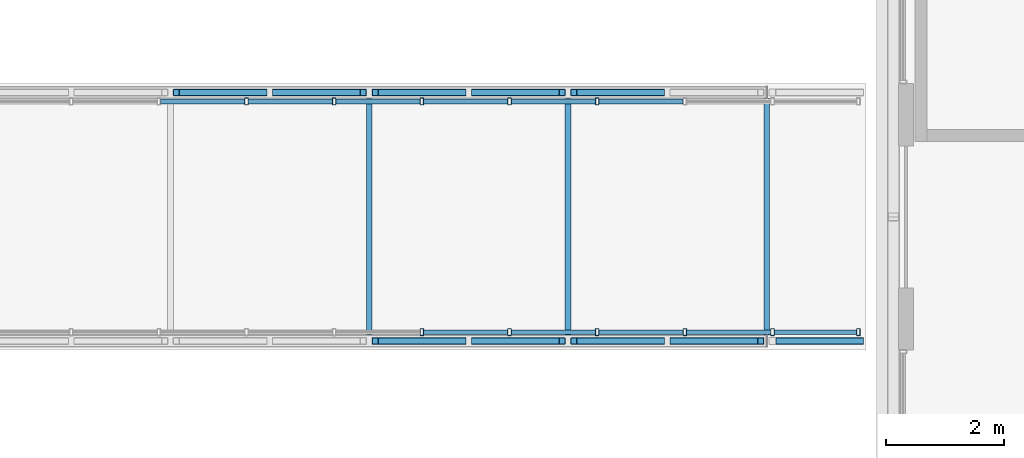
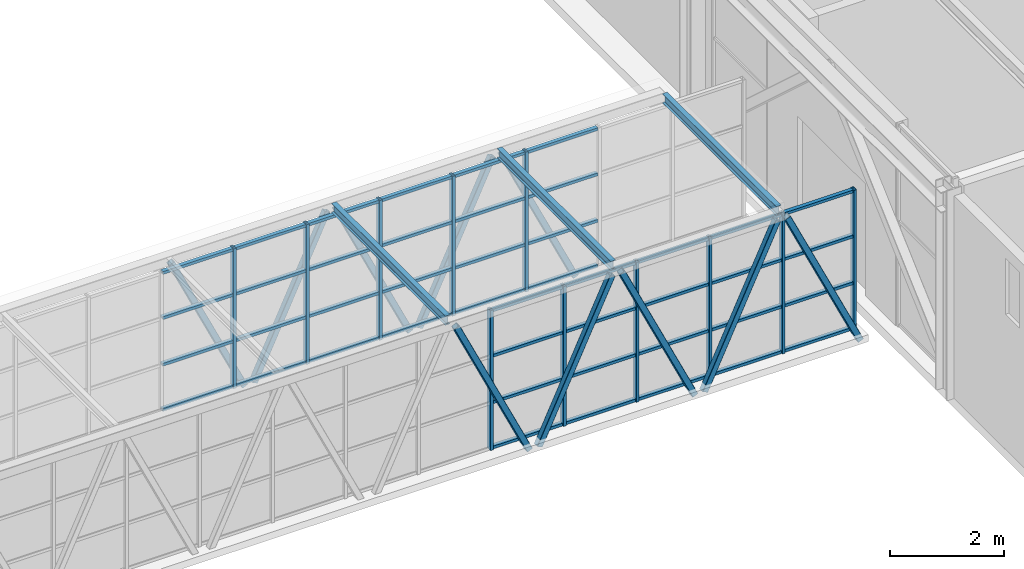
# One storey, part 38 of 149: 65 members, 3 beams, 2 elements without a shape of their own.
"""IFC4 building model written with IfcOpenShell, lengths in metres."""

from ifc_helpers import new_model, si_unit, direction, frame, origin, origin_2d, place, context, subcontext, project, spatial, hollow_rectangle, i_section, extrude, material, material_profile, profile_set, type_object, element, aggregate, save


model = new_model("IFC4")

# Units and contexts
model_context = context("Model", 3, precision=1e-05, world=origin(), true_north=direction((0.0, 1.0)))
body_context = subcontext(model_context, "Body", "Model", "MODEL_VIEW")
ifc_project = project(units=[si_unit("LENGTHUNIT", "METRE"), si_unit("AREAUNIT", "SQUARE_METRE"), si_unit("VOLUMEUNIT", "CUBIC_METRE"), si_unit("PLANEANGLEUNIT", "RADIAN"), si_unit("MASSUNIT", "GRAM", prefix="KILO")], contexts=[model_context])

# Site, building, storey
site_placement = place(None, origin())
site = spatial("IfcSite", under=ifc_project, at=site_placement, CompositionType="ELEMENT")
building_placement = place(site_placement, origin())
building = spatial("IfcBuilding", under=site, at=building_placement, Name="Kallimachos Central Library", CompositionType="ELEMENT")
storey_placement = place(building_placement, frame((0.0, 0.0, 9.89990234375)))
storey = spatial("IfcBuildingStorey", under=building, at=storey_placement, Name="L02", CompositionType="ELEMENT", Elevation=9.89990234375)

# Curtain wall, members
ifc_material_1 = material(Name="Aluminium and laminated glass", Category="aluminium")
curtain_wall_type = type_object("IfcCurtainWallType", Name="Link glazed wall", PredefinedType="NOTDEFINED", material=ifc_material_1)
curtain_wall_1_placement = place(storey_placement, origin())
curtain_wall_1 = element("IfcCurtainWall", 1, at=curtain_wall_1_placement, inside=storey, type_object=curtain_wall_type, Name="V2 to V1 bridge glazed side", PredefinedType="NOTDEFINED")
ifc_material_2 = material(Name="Anodised aluminium", Category="aluminium")
ifc_material_profile_1 = material_profile(ifc_material_2, hollow_rectangle(XDim=0.06005859375, YDim=0.1201171875, WallThickness=0.00390625, at=origin_2d()), Name="ALU MULLION 60x120")
ifc_profile_set_1 = profile_set([ifc_material_profile_1], Name="Anodised aluminium")
member_type_1 = type_object("IfcMemberType", Name="ALU MULLION 60x120 mullion", PredefinedType="MULLION", material=ifc_profile_set_1)
member_1_placement = place(storey_placement, frame((57.665283203125, 98.550048828125, 0.0), z_axis=(0.0, 0.0, 1.0), x_axis=(1.0, 0.0, 0.0)))
member_1 = element("IfcMember", 2, at=member_1_placement, type_object=member_type_1, Name="CW72 mullion 14", PredefinedType="MULLION", context=body_context, shape_type="SweptSolid", body=[
    extrude(hollow_rectangle(XDim=0.06005859375, YDim=0.1201171875, WallThickness=0.00390625, at=origin_2d()), origin(), (0.0, 0.0, 1.0), 3.0),
])
member_2_placement = place(storey_placement, frame((59.147216796875, 98.550048828125, 0.0), z_axis=(0.0, 0.0, 1.0), x_axis=(1.0, 0.0, 0.0)))
member_2 = element("IfcMember", 3, at=member_2_placement, type_object=member_type_1, Name="CW72 mullion 15", PredefinedType="MULLION", context=body_context, shape_type="SweptSolid", body=[
    extrude(hollow_rectangle(XDim=0.06005859375, YDim=0.1201171875, WallThickness=0.00390625, at=origin_2d()), origin(), (0.0, 0.0, 1.0), 3.0),
])
member_3_placement = place(storey_placement, frame((60.629150390625, 98.550048828125, 0.0), z_axis=(0.0, 0.0, 1.0), x_axis=(1.0, 0.0, 0.0)))
member_3 = element("IfcMember", 4, at=member_3_placement, type_object=member_type_1, Name="CW72 mullion 16", PredefinedType="MULLION", context=body_context, shape_type="SweptSolid", body=[
    extrude(hollow_rectangle(XDim=0.06005859375, YDim=0.1201171875, WallThickness=0.00390625, at=origin_2d()), origin(), (0.0, 0.0, 1.0), 3.0),
])
member_4_placement = place(storey_placement, frame((62.111083984375, 98.550048828125, 0.0), z_axis=(0.0, 0.0, 1.0), x_axis=(1.0, 0.0, 0.0)))
member_4 = element("IfcMember", 5, at=member_4_placement, type_object=member_type_1, Name="CW72 mullion 17", PredefinedType="MULLION", context=body_context, shape_type="SweptSolid", body=[
    extrude(hollow_rectangle(XDim=0.06005859375, YDim=0.1201171875, WallThickness=0.00390625, at=origin_2d()), origin(), (0.0, 0.0, 1.0), 3.0),
])
member_5_placement = place(storey_placement, frame((63.593017578125, 98.550048828125, 0.0), z_axis=(0.0, 0.0, 1.0), x_axis=(1.0, 0.0, 0.0)))
member_5 = element("IfcMember", 6, at=member_5_placement, type_object=member_type_1, Name="CW72 mullion 18", PredefinedType="MULLION", context=body_context, shape_type="SweptSolid", body=[
    extrude(hollow_rectangle(XDim=0.06005859375, YDim=0.1201171875, WallThickness=0.00390625, at=origin_2d()), origin(), (0.0, 0.0, 1.0), 3.0),
])
member_6_placement = place(storey_placement, frame((65.044921875, 98.550048828125, 0.0), z_axis=(0.0, 0.0, 1.0), x_axis=(1.0, 0.0, 0.0)))
member_6 = element("IfcMember", 7, at=member_6_placement, type_object=member_type_1, Name="CW72 mullion 19", PredefinedType="MULLION", context=body_context, shape_type="SweptSolid", body=[
    extrude(hollow_rectangle(XDim=0.06005859375, YDim=0.1201171875, WallThickness=0.00390625, at=origin_2d()), origin(), (0.0, 0.0, 1.0), 3.0),
])

curtain_wall_2_placement = place(storey_placement, origin())
curtain_wall_2 = element("IfcCurtainWall", 8, at=curtain_wall_2_placement, inside=storey, type_object=curtain_wall_type, Name="V2 to V1 bridge glazed side", PredefinedType="NOTDEFINED")
member_7_placement = place(storey_placement, frame((54.701416015625, 102.449951171875, 0.0), z_axis=(0.0, 0.0, 1.0), x_axis=(1.0, 0.0, 0.0)))
member_7 = element("IfcMember", 9, at=member_7_placement, type_object=member_type_1, Name="CW73 mullion 12", PredefinedType="MULLION", context=body_context, shape_type="SweptSolid", body=[
    extrude(hollow_rectangle(XDim=0.06005859375, YDim=0.1201171875, WallThickness=0.00390625, at=origin_2d()), origin(), (0.0, 0.0, 1.0), 3.0),
])
member_8_placement = place(storey_placement, frame((56.183349609375, 102.449951171875, 0.0), z_axis=(0.0, 0.0, 1.0), x_axis=(1.0, 0.0, 0.0)))
member_8 = element("IfcMember", 10, at=member_8_placement, type_object=member_type_1, Name="CW73 mullion 13", PredefinedType="MULLION", context=body_context, shape_type="SweptSolid", body=[
    extrude(hollow_rectangle(XDim=0.06005859375, YDim=0.1201171875, WallThickness=0.00390625, at=origin_2d()), origin(), (0.0, 0.0, 1.0), 3.0),
])
member_9_placement = place(storey_placement, frame((57.665283203125, 102.449951171875, 0.0), z_axis=(0.0, 0.0, 1.0), x_axis=(1.0, 0.0, 0.0)))
member_9 = element("IfcMember", 11, at=member_9_placement, type_object=member_type_1, Name="CW73 mullion 14", PredefinedType="MULLION", context=body_context, shape_type="SweptSolid", body=[
    extrude(hollow_rectangle(XDim=0.06005859375, YDim=0.1201171875, WallThickness=0.00390625, at=origin_2d()), origin(), (0.0, 0.0, 1.0), 3.0),
])
member_10_placement = place(storey_placement, frame((59.147216796875, 102.449951171875, 0.0), z_axis=(0.0, 0.0, 1.0), x_axis=(1.0, 0.0, 0.0)))
member_10 = element("IfcMember", 12, at=member_10_placement, type_object=member_type_1, Name="CW73 mullion 15", PredefinedType="MULLION", context=body_context, shape_type="SweptSolid", body=[
    extrude(hollow_rectangle(XDim=0.06005859375, YDim=0.1201171875, WallThickness=0.00390625, at=origin_2d()), origin(), (0.0, 0.0, 1.0), 3.0),
])
member_11_placement = place(storey_placement, frame((60.629150390625, 102.449951171875, 0.0), z_axis=(0.0, 0.0, 1.0), x_axis=(1.0, 0.0, 0.0)))
member_11 = element("IfcMember", 13, at=member_11_placement, type_object=member_type_1, Name="CW73 mullion 16", PredefinedType="MULLION", context=body_context, shape_type="SweptSolid", body=[
    extrude(hollow_rectangle(XDim=0.06005859375, YDim=0.1201171875, WallThickness=0.00390625, at=origin_2d()), origin(), (0.0, 0.0, 1.0), 3.0),
])

# Member
ifc_material_3 = material(Name="Anodised aluminium", Category="aluminium")
ifc_material_profile_2 = material_profile(ifc_material_3, hollow_rectangle(XDim=0.06005859375, YDim=0.080078125, WallThickness=0.00390625, at=origin_2d()), Name="ALU TRANSOM 60x80")
ifc_profile_set_2 = profile_set([ifc_material_profile_2], Name="Anodised aluminium")
member_type_2 = type_object("IfcMemberType", Name="ALU TRANSOM 60x80 transom", PredefinedType="USERDEFINED", material=ifc_profile_set_2)
member_12_placement = place(storey_placement, frame((57.6953125, 98.550048828125, 0.030029296875), z_axis=(1.0, 0.0, 0.0), x_axis=(0.0, 0.0, 1.0)))
member_12 = element("IfcMember", 14, at=member_12_placement, type_object=member_type_2, Name="CW72 transom 14.1", ObjectType="TRANSOM", PredefinedType="USERDEFINED", context=body_context, shape_type="SweptSolid", body=[
    extrude(hollow_rectangle(XDim=0.06005859375, YDim=0.080078125, WallThickness=0.00390625, at=origin_2d()), origin(), (0.0, 0.0, 1.0), 1.421875),
])

member_13_placement = place(storey_placement, frame((57.6953125, 98.550048828125, 1.0), z_axis=(1.0, 0.0, 0.0), x_axis=(0.0, 0.0, 1.0)))
member_13 = element("IfcMember", 15, at=member_13_placement, type_object=member_type_2, Name="CW72 transom 14.2", ObjectType="TRANSOM", PredefinedType="USERDEFINED", context=body_context, shape_type="SweptSolid", body=[
    extrude(hollow_rectangle(XDim=0.06005859375, YDim=0.080078125, WallThickness=0.00390625, at=origin_2d()), origin(), (0.0, 0.0, 1.0), 1.421875),
])

member_14_placement = place(storey_placement, frame((57.6953125, 98.550048828125, 2.0), z_axis=(1.0, 0.0, 0.0), x_axis=(0.0, 0.0, 1.0)))
member_14 = element("IfcMember", 16, at=member_14_placement, type_object=member_type_2, Name="CW72 transom 14.3", ObjectType="TRANSOM", PredefinedType="USERDEFINED", context=body_context, shape_type="SweptSolid", body=[
    extrude(hollow_rectangle(XDim=0.06005859375, YDim=0.080078125, WallThickness=0.00390625, at=origin_2d()), origin(), (0.0, 0.0, 1.0), 1.421875),
])

member_15_placement = place(storey_placement, frame((57.6953125, 98.550048828125, 2.97021484375), z_axis=(1.0, 0.0, 0.0), x_axis=(0.0, 0.0, 1.0)))
member_15 = element("IfcMember", 17, at=member_15_placement, type_object=member_type_2, Name="CW72 transom 14.4", ObjectType="TRANSOM", PredefinedType="USERDEFINED", context=body_context, shape_type="SweptSolid", body=[
    extrude(hollow_rectangle(XDim=0.06005859375, YDim=0.080078125, WallThickness=0.00390625, at=origin_2d()), origin(), (0.0, 0.0, 1.0), 1.421875),
])

member_16_placement = place(storey_placement, frame((59.17724609375, 98.550048828125, 0.030029296875), z_axis=(1.0, 0.0, 0.0), x_axis=(0.0, 0.0, 1.0)))
member_16 = element("IfcMember", 18, at=member_16_placement, type_object=member_type_2, Name="CW72 transom 15.1", ObjectType="TRANSOM", PredefinedType="USERDEFINED", context=body_context, shape_type="SweptSolid", body=[
    extrude(hollow_rectangle(XDim=0.06005859375, YDim=0.080078125, WallThickness=0.00390625, at=origin_2d()), origin(), (0.0, 0.0, 1.0), 1.421875),
])

member_17_placement = place(storey_placement, frame((59.17724609375, 98.550048828125, 1.0), z_axis=(1.0, 0.0, 0.0), x_axis=(0.0, 0.0, 1.0)))
member_17 = element("IfcMember", 19, at=member_17_placement, type_object=member_type_2, Name="CW72 transom 15.2", ObjectType="TRANSOM", PredefinedType="USERDEFINED", context=body_context, shape_type="SweptSolid", body=[
    extrude(hollow_rectangle(XDim=0.06005859375, YDim=0.080078125, WallThickness=0.00390625, at=origin_2d()), origin(), (0.0, 0.0, 1.0), 1.421875),
])

member_18_placement = place(storey_placement, frame((59.17724609375, 98.550048828125, 2.0), z_axis=(1.0, 0.0, 0.0), x_axis=(0.0, 0.0, 1.0)))
member_18 = element("IfcMember", 20, at=member_18_placement, type_object=member_type_2, Name="CW72 transom 15.3", ObjectType="TRANSOM", PredefinedType="USERDEFINED", context=body_context, shape_type="SweptSolid", body=[
    extrude(hollow_rectangle(XDim=0.06005859375, YDim=0.080078125, WallThickness=0.00390625, at=origin_2d()), origin(), (0.0, 0.0, 1.0), 1.421875),
])

member_19_placement = place(storey_placement, frame((59.17724609375, 98.550048828125, 2.97021484375), z_axis=(1.0, 0.0, 0.0), x_axis=(0.0, 0.0, 1.0)))
member_19 = element("IfcMember", 21, at=member_19_placement, type_object=member_type_2, Name="CW72 transom 15.4", ObjectType="TRANSOM", PredefinedType="USERDEFINED", context=body_context, shape_type="SweptSolid", body=[
    extrude(hollow_rectangle(XDim=0.06005859375, YDim=0.080078125, WallThickness=0.00390625, at=origin_2d()), origin(), (0.0, 0.0, 1.0), 1.421875),
])

member_20_placement = place(storey_placement, frame((60.6591796875, 98.550048828125, 0.030029296875), z_axis=(1.0, 0.0, 0.0), x_axis=(0.0, 0.0, 1.0)))
member_20 = element("IfcMember", 22, at=member_20_placement, type_object=member_type_2, Name="CW72 transom 16.1", ObjectType="TRANSOM", PredefinedType="USERDEFINED", context=body_context, shape_type="SweptSolid", body=[
    extrude(hollow_rectangle(XDim=0.06005859375, YDim=0.080078125, WallThickness=0.00390625, at=origin_2d()), origin(), (0.0, 0.0, 1.0), 1.421875),
])

member_21_placement = place(storey_placement, frame((60.6591796875, 98.550048828125, 1.0), z_axis=(1.0, 0.0, 0.0), x_axis=(0.0, 0.0, 1.0)))
member_21 = element("IfcMember", 23, at=member_21_placement, type_object=member_type_2, Name="CW72 transom 16.2", ObjectType="TRANSOM", PredefinedType="USERDEFINED", context=body_context, shape_type="SweptSolid", body=[
    extrude(hollow_rectangle(XDim=0.06005859375, YDim=0.080078125, WallThickness=0.00390625, at=origin_2d()), origin(), (0.0, 0.0, 1.0), 1.421875),
])

member_22_placement = place(storey_placement, frame((60.6591796875, 98.550048828125, 2.0), z_axis=(1.0, 0.0, 0.0), x_axis=(0.0, 0.0, 1.0)))
member_22 = element("IfcMember", 24, at=member_22_placement, type_object=member_type_2, Name="CW72 transom 16.3", ObjectType="TRANSOM", PredefinedType="USERDEFINED", context=body_context, shape_type="SweptSolid", body=[
    extrude(hollow_rectangle(XDim=0.06005859375, YDim=0.080078125, WallThickness=0.00390625, at=origin_2d()), origin(), (0.0, 0.0, 1.0), 1.421875),
])

member_23_placement = place(storey_placement, frame((60.6591796875, 98.550048828125, 2.97021484375), z_axis=(1.0, 0.0, 0.0), x_axis=(0.0, 0.0, 1.0)))
member_23 = element("IfcMember", 25, at=member_23_placement, type_object=member_type_2, Name="CW72 transom 16.4", ObjectType="TRANSOM", PredefinedType="USERDEFINED", context=body_context, shape_type="SweptSolid", body=[
    extrude(hollow_rectangle(XDim=0.06005859375, YDim=0.080078125, WallThickness=0.00390625, at=origin_2d()), origin(), (0.0, 0.0, 1.0), 1.421875),
])

member_24_placement = place(storey_placement, frame((62.14111328125, 98.550048828125, 0.030029296875), z_axis=(1.0, 0.0, 0.0), x_axis=(0.0, 0.0, 1.0)))
member_24 = element("IfcMember", 26, at=member_24_placement, type_object=member_type_2, Name="CW72 transom 17.1", ObjectType="TRANSOM", PredefinedType="USERDEFINED", context=body_context, shape_type="SweptSolid", body=[
    extrude(hollow_rectangle(XDim=0.06005859375, YDim=0.080078125, WallThickness=0.00390625, at=origin_2d()), origin(), (0.0, 0.0, 1.0), 1.421875),
])

member_25_placement = place(storey_placement, frame((62.14111328125, 98.550048828125, 1.0), z_axis=(1.0, 0.0, 0.0), x_axis=(0.0, 0.0, 1.0)))
member_25 = element("IfcMember", 27, at=member_25_placement, type_object=member_type_2, Name="CW72 transom 17.2", ObjectType="TRANSOM", PredefinedType="USERDEFINED", context=body_context, shape_type="SweptSolid", body=[
    extrude(hollow_rectangle(XDim=0.06005859375, YDim=0.080078125, WallThickness=0.00390625, at=origin_2d()), origin(), (0.0, 0.0, 1.0), 1.421875),
])

member_26_placement = place(storey_placement, frame((62.14111328125, 98.550048828125, 2.0), z_axis=(1.0, 0.0, 0.0), x_axis=(0.0, 0.0, 1.0)))
member_26 = element("IfcMember", 28, at=member_26_placement, type_object=member_type_2, Name="CW72 transom 17.3", ObjectType="TRANSOM", PredefinedType="USERDEFINED", context=body_context, shape_type="SweptSolid", body=[
    extrude(hollow_rectangle(XDim=0.06005859375, YDim=0.080078125, WallThickness=0.00390625, at=origin_2d()), origin(), (0.0, 0.0, 1.0), 1.421875),
])

member_27_placement = place(storey_placement, frame((62.14111328125, 98.550048828125, 2.97021484375), z_axis=(1.0, 0.0, 0.0), x_axis=(0.0, 0.0, 1.0)))
member_27 = element("IfcMember", 29, at=member_27_placement, type_object=member_type_2, Name="CW72 transom 17.4", ObjectType="TRANSOM", PredefinedType="USERDEFINED", context=body_context, shape_type="SweptSolid", body=[
    extrude(hollow_rectangle(XDim=0.06005859375, YDim=0.080078125, WallThickness=0.00390625, at=origin_2d()), origin(), (0.0, 0.0, 1.0), 1.421875),
])

member_28_placement = place(storey_placement, frame((63.623046875, 98.550048828125, 0.030029296875), z_axis=(1.0, 0.0, 0.0), x_axis=(0.0, 0.0, 1.0)))
member_28 = element("IfcMember", 30, at=member_28_placement, type_object=member_type_2, Name="CW72 transom 18.1", ObjectType="TRANSOM", PredefinedType="USERDEFINED", context=body_context, shape_type="SweptSolid", body=[
    extrude(hollow_rectangle(XDim=0.06005859375, YDim=0.080078125, WallThickness=0.00390625, at=origin_2d()), origin(), (0.0, 0.0, 1.0), 1.391845703125),
])

member_29_placement = place(storey_placement, frame((63.623046875, 98.550048828125, 1.0), z_axis=(1.0, 0.0, 0.0), x_axis=(0.0, 0.0, 1.0)))
member_29 = element("IfcMember", 31, at=member_29_placement, type_object=member_type_2, Name="CW72 transom 18.2", ObjectType="TRANSOM", PredefinedType="USERDEFINED", context=body_context, shape_type="SweptSolid", body=[
    extrude(hollow_rectangle(XDim=0.06005859375, YDim=0.080078125, WallThickness=0.00390625, at=origin_2d()), origin(), (0.0, 0.0, 1.0), 1.391845703125),
])

member_30_placement = place(storey_placement, frame((63.623046875, 98.550048828125, 2.0), z_axis=(1.0, 0.0, 0.0), x_axis=(0.0, 0.0, 1.0)))
member_30 = element("IfcMember", 32, at=member_30_placement, type_object=member_type_2, Name="CW72 transom 18.3", ObjectType="TRANSOM", PredefinedType="USERDEFINED", context=body_context, shape_type="SweptSolid", body=[
    extrude(hollow_rectangle(XDim=0.06005859375, YDim=0.080078125, WallThickness=0.00390625, at=origin_2d()), origin(), (0.0, 0.0, 1.0), 1.391845703125),
])

member_31_placement = place(storey_placement, frame((63.623046875, 98.550048828125, 2.97021484375), z_axis=(1.0, 0.0, 0.0), x_axis=(0.0, 0.0, 1.0)))
member_31 = element("IfcMember", 33, at=member_31_placement, type_object=member_type_2, Name="CW72 transom 18.4", ObjectType="TRANSOM", PredefinedType="USERDEFINED", context=body_context, shape_type="SweptSolid", body=[
    extrude(hollow_rectangle(XDim=0.06005859375, YDim=0.080078125, WallThickness=0.00390625, at=origin_2d()), origin(), (0.0, 0.0, 1.0), 1.391845703125),
])

aggregate(curtain_wall_1, [member_1, member_2, member_3, member_4, member_5, member_6, member_12, member_13, member_14, member_15, member_16, member_17, member_18, member_19, member_20, member_21, member_22, member_23, member_24, member_25, member_26, member_27, member_28, member_29, member_30, member_31])

member_32_placement = place(storey_placement, frame((53.24951171875, 102.449951171875, 0.030029296875), z_axis=(1.0, 0.0, 0.0), x_axis=(0.0, 0.0, 1.0)))
member_32 = element("IfcMember", 34, at=member_32_placement, type_object=member_type_2, Name="CW73 transom 11.1", ObjectType="TRANSOM", PredefinedType="USERDEFINED", context=body_context, shape_type="SweptSolid", body=[
    extrude(hollow_rectangle(XDim=0.06005859375, YDim=0.080078125, WallThickness=0.00390625, at=origin_2d()), origin(), (0.0, 0.0, 1.0), 1.421875),
])

member_33_placement = place(storey_placement, frame((53.24951171875, 102.449951171875, 1.0), z_axis=(1.0, 0.0, 0.0), x_axis=(0.0, 0.0, 1.0)))
member_33 = element("IfcMember", 35, at=member_33_placement, type_object=member_type_2, Name="CW73 transom 11.2", ObjectType="TRANSOM", PredefinedType="USERDEFINED", context=body_context, shape_type="SweptSolid", body=[
    extrude(hollow_rectangle(XDim=0.06005859375, YDim=0.080078125, WallThickness=0.00390625, at=origin_2d()), origin(), (0.0, 0.0, 1.0), 1.421875),
])

member_34_placement = place(storey_placement, frame((53.24951171875, 102.449951171875, 2.0), z_axis=(1.0, 0.0, 0.0), x_axis=(0.0, 0.0, 1.0)))
member_34 = element("IfcMember", 36, at=member_34_placement, type_object=member_type_2, Name="CW73 transom 11.3", ObjectType="TRANSOM", PredefinedType="USERDEFINED", context=body_context, shape_type="SweptSolid", body=[
    extrude(hollow_rectangle(XDim=0.06005859375, YDim=0.080078125, WallThickness=0.00390625, at=origin_2d()), origin(), (0.0, 0.0, 1.0), 1.421875),
])

member_35_placement = place(storey_placement, frame((53.24951171875, 102.449951171875, 2.97021484375), z_axis=(1.0, 0.0, 0.0), x_axis=(0.0, 0.0, 1.0)))
member_35 = element("IfcMember", 37, at=member_35_placement, type_object=member_type_2, Name="CW73 transom 11.4", ObjectType="TRANSOM", PredefinedType="USERDEFINED", context=body_context, shape_type="SweptSolid", body=[
    extrude(hollow_rectangle(XDim=0.06005859375, YDim=0.080078125, WallThickness=0.00390625, at=origin_2d()), origin(), (0.0, 0.0, 1.0), 1.421875),
])

member_36_placement = place(storey_placement, frame((54.7314453125, 102.449951171875, 0.030029296875), z_axis=(1.0, 0.0, 0.0), x_axis=(0.0, 0.0, 1.0)))
member_36 = element("IfcMember", 38, at=member_36_placement, type_object=member_type_2, Name="CW73 transom 12.1", ObjectType="TRANSOM", PredefinedType="USERDEFINED", context=body_context, shape_type="SweptSolid", body=[
    extrude(hollow_rectangle(XDim=0.06005859375, YDim=0.080078125, WallThickness=0.00390625, at=origin_2d()), origin(), (0.0, 0.0, 1.0), 1.421875),
])

member_37_placement = place(storey_placement, frame((54.7314453125, 102.449951171875, 1.0), z_axis=(1.0, 0.0, 0.0), x_axis=(0.0, 0.0, 1.0)))
member_37 = element("IfcMember", 39, at=member_37_placement, type_object=member_type_2, Name="CW73 transom 12.2", ObjectType="TRANSOM", PredefinedType="USERDEFINED", context=body_context, shape_type="SweptSolid", body=[
    extrude(hollow_rectangle(XDim=0.06005859375, YDim=0.080078125, WallThickness=0.00390625, at=origin_2d()), origin(), (0.0, 0.0, 1.0), 1.421875),
])

member_38_placement = place(storey_placement, frame((54.7314453125, 102.449951171875, 2.0), z_axis=(1.0, 0.0, 0.0), x_axis=(0.0, 0.0, 1.0)))
member_38 = element("IfcMember", 40, at=member_38_placement, type_object=member_type_2, Name="CW73 transom 12.3", ObjectType="TRANSOM", PredefinedType="USERDEFINED", context=body_context, shape_type="SweptSolid", body=[
    extrude(hollow_rectangle(XDim=0.06005859375, YDim=0.080078125, WallThickness=0.00390625, at=origin_2d()), origin(), (0.0, 0.0, 1.0), 1.421875),
])

member_39_placement = place(storey_placement, frame((54.7314453125, 102.449951171875, 2.97021484375), z_axis=(1.0, 0.0, 0.0), x_axis=(0.0, 0.0, 1.0)))
member_39 = element("IfcMember", 41, at=member_39_placement, type_object=member_type_2, Name="CW73 transom 12.4", ObjectType="TRANSOM", PredefinedType="USERDEFINED", context=body_context, shape_type="SweptSolid", body=[
    extrude(hollow_rectangle(XDim=0.06005859375, YDim=0.080078125, WallThickness=0.00390625, at=origin_2d()), origin(), (0.0, 0.0, 1.0), 1.421875),
])

member_40_placement = place(storey_placement, frame((56.21337890625, 102.449951171875, 0.030029296875), z_axis=(1.0, 0.0, 0.0), x_axis=(0.0, 0.0, 1.0)))
member_40 = element("IfcMember", 42, at=member_40_placement, type_object=member_type_2, Name="CW73 transom 13.1", ObjectType="TRANSOM", PredefinedType="USERDEFINED", context=body_context, shape_type="SweptSolid", body=[
    extrude(hollow_rectangle(XDim=0.06005859375, YDim=0.080078125, WallThickness=0.00390625, at=origin_2d()), origin(), (0.0, 0.0, 1.0), 1.421875),
])

member_41_placement = place(storey_placement, frame((56.21337890625, 102.449951171875, 1.0), z_axis=(1.0, 0.0, 0.0), x_axis=(0.0, 0.0, 1.0)))
member_41 = element("IfcMember", 43, at=member_41_placement, type_object=member_type_2, Name="CW73 transom 13.2", ObjectType="TRANSOM", PredefinedType="USERDEFINED", context=body_context, shape_type="SweptSolid", body=[
    extrude(hollow_rectangle(XDim=0.06005859375, YDim=0.080078125, WallThickness=0.00390625, at=origin_2d()), origin(), (0.0, 0.0, 1.0), 1.421875),
])

member_42_placement = place(storey_placement, frame((56.21337890625, 102.449951171875, 2.0), z_axis=(1.0, 0.0, 0.0), x_axis=(0.0, 0.0, 1.0)))
member_42 = element("IfcMember", 44, at=member_42_placement, type_object=member_type_2, Name="CW73 transom 13.3", ObjectType="TRANSOM", PredefinedType="USERDEFINED", context=body_context, shape_type="SweptSolid", body=[
    extrude(hollow_rectangle(XDim=0.06005859375, YDim=0.080078125, WallThickness=0.00390625, at=origin_2d()), origin(), (0.0, 0.0, 1.0), 1.421875),
])

member_43_placement = place(storey_placement, frame((56.21337890625, 102.449951171875, 2.97021484375), z_axis=(1.0, 0.0, 0.0), x_axis=(0.0, 0.0, 1.0)))
member_43 = element("IfcMember", 45, at=member_43_placement, type_object=member_type_2, Name="CW73 transom 13.4", ObjectType="TRANSOM", PredefinedType="USERDEFINED", context=body_context, shape_type="SweptSolid", body=[
    extrude(hollow_rectangle(XDim=0.06005859375, YDim=0.080078125, WallThickness=0.00390625, at=origin_2d()), origin(), (0.0, 0.0, 1.0), 1.421875),
])

member_44_placement = place(storey_placement, frame((57.6953125, 102.449951171875, 0.030029296875), z_axis=(1.0, 0.0, 0.0), x_axis=(0.0, 0.0, 1.0)))
member_44 = element("IfcMember", 46, at=member_44_placement, type_object=member_type_2, Name="CW73 transom 14.1", ObjectType="TRANSOM", PredefinedType="USERDEFINED", context=body_context, shape_type="SweptSolid", body=[
    extrude(hollow_rectangle(XDim=0.06005859375, YDim=0.080078125, WallThickness=0.00390625, at=origin_2d()), origin(), (0.0, 0.0, 1.0), 1.421875),
])

member_45_placement = place(storey_placement, frame((57.6953125, 102.449951171875, 1.0), z_axis=(1.0, 0.0, 0.0), x_axis=(0.0, 0.0, 1.0)))
member_45 = element("IfcMember", 47, at=member_45_placement, type_object=member_type_2, Name="CW73 transom 14.2", ObjectType="TRANSOM", PredefinedType="USERDEFINED", context=body_context, shape_type="SweptSolid", body=[
    extrude(hollow_rectangle(XDim=0.06005859375, YDim=0.080078125, WallThickness=0.00390625, at=origin_2d()), origin(), (0.0, 0.0, 1.0), 1.421875),
])

member_46_placement = place(storey_placement, frame((57.6953125, 102.449951171875, 2.0), z_axis=(1.0, 0.0, 0.0), x_axis=(0.0, 0.0, 1.0)))
member_46 = element("IfcMember", 48, at=member_46_placement, type_object=member_type_2, Name="CW73 transom 14.3", ObjectType="TRANSOM", PredefinedType="USERDEFINED", context=body_context, shape_type="SweptSolid", body=[
    extrude(hollow_rectangle(XDim=0.06005859375, YDim=0.080078125, WallThickness=0.00390625, at=origin_2d()), origin(), (0.0, 0.0, 1.0), 1.421875),
])

member_47_placement = place(storey_placement, frame((57.6953125, 102.449951171875, 2.97021484375), z_axis=(1.0, 0.0, 0.0), x_axis=(0.0, 0.0, 1.0)))
member_47 = element("IfcMember", 49, at=member_47_placement, type_object=member_type_2, Name="CW73 transom 14.4", ObjectType="TRANSOM", PredefinedType="USERDEFINED", context=body_context, shape_type="SweptSolid", body=[
    extrude(hollow_rectangle(XDim=0.06005859375, YDim=0.080078125, WallThickness=0.00390625, at=origin_2d()), origin(), (0.0, 0.0, 1.0), 1.421875),
])

member_48_placement = place(storey_placement, frame((59.17724609375, 102.449951171875, 0.030029296875), z_axis=(1.0, 0.0, 0.0), x_axis=(0.0, 0.0, 1.0)))
member_48 = element("IfcMember", 50, at=member_48_placement, type_object=member_type_2, Name="CW73 transom 15.1", ObjectType="TRANSOM", PredefinedType="USERDEFINED", context=body_context, shape_type="SweptSolid", body=[
    extrude(hollow_rectangle(XDim=0.06005859375, YDim=0.080078125, WallThickness=0.00390625, at=origin_2d()), origin(), (0.0, 0.0, 1.0), 1.421875),
])

member_49_placement = place(storey_placement, frame((59.17724609375, 102.449951171875, 1.0), z_axis=(1.0, 0.0, 0.0), x_axis=(0.0, 0.0, 1.0)))
member_49 = element("IfcMember", 51, at=member_49_placement, type_object=member_type_2, Name="CW73 transom 15.2", ObjectType="TRANSOM", PredefinedType="USERDEFINED", context=body_context, shape_type="SweptSolid", body=[
    extrude(hollow_rectangle(XDim=0.06005859375, YDim=0.080078125, WallThickness=0.00390625, at=origin_2d()), origin(), (0.0, 0.0, 1.0), 1.421875),
])

member_50_placement = place(storey_placement, frame((59.17724609375, 102.449951171875, 2.0), z_axis=(1.0, 0.0, 0.0), x_axis=(0.0, 0.0, 1.0)))
member_50 = element("IfcMember", 52, at=member_50_placement, type_object=member_type_2, Name="CW73 transom 15.3", ObjectType="TRANSOM", PredefinedType="USERDEFINED", context=body_context, shape_type="SweptSolid", body=[
    extrude(hollow_rectangle(XDim=0.06005859375, YDim=0.080078125, WallThickness=0.00390625, at=origin_2d()), origin(), (0.0, 0.0, 1.0), 1.421875),
])

member_51_placement = place(storey_placement, frame((59.17724609375, 102.449951171875, 2.97021484375), z_axis=(1.0, 0.0, 0.0), x_axis=(0.0, 0.0, 1.0)))
member_51 = element("IfcMember", 53, at=member_51_placement, type_object=member_type_2, Name="CW73 transom 15.4", ObjectType="TRANSOM", PredefinedType="USERDEFINED", context=body_context, shape_type="SweptSolid", body=[
    extrude(hollow_rectangle(XDim=0.06005859375, YDim=0.080078125, WallThickness=0.00390625, at=origin_2d()), origin(), (0.0, 0.0, 1.0), 1.421875),
])

member_52_placement = place(storey_placement, frame((60.6591796875, 102.449951171875, 0.030029296875), z_axis=(1.0, 0.0, 0.0), x_axis=(0.0, 0.0, 1.0)))
member_52 = element("IfcMember", 54, at=member_52_placement, type_object=member_type_2, Name="CW73 transom 16.1", ObjectType="TRANSOM", PredefinedType="USERDEFINED", context=body_context, shape_type="SweptSolid", body=[
    extrude(hollow_rectangle(XDim=0.06005859375, YDim=0.080078125, WallThickness=0.00390625, at=origin_2d()), origin(), (0.0, 0.0, 1.0), 1.421875),
])

member_53_placement = place(storey_placement, frame((60.6591796875, 102.449951171875, 1.0), z_axis=(1.0, 0.0, 0.0), x_axis=(0.0, 0.0, 1.0)))
member_53 = element("IfcMember", 55, at=member_53_placement, type_object=member_type_2, Name="CW73 transom 16.2", ObjectType="TRANSOM", PredefinedType="USERDEFINED", context=body_context, shape_type="SweptSolid", body=[
    extrude(hollow_rectangle(XDim=0.06005859375, YDim=0.080078125, WallThickness=0.00390625, at=origin_2d()), origin(), (0.0, 0.0, 1.0), 1.421875),
])

member_54_placement = place(storey_placement, frame((60.6591796875, 102.449951171875, 2.0), z_axis=(1.0, 0.0, 0.0), x_axis=(0.0, 0.0, 1.0)))
member_54 = element("IfcMember", 56, at=member_54_placement, type_object=member_type_2, Name="CW73 transom 16.3", ObjectType="TRANSOM", PredefinedType="USERDEFINED", context=body_context, shape_type="SweptSolid", body=[
    extrude(hollow_rectangle(XDim=0.06005859375, YDim=0.080078125, WallThickness=0.00390625, at=origin_2d()), origin(), (0.0, 0.0, 1.0), 1.421875),
])

member_55_placement = place(storey_placement, frame((60.6591796875, 102.449951171875, 2.97021484375), z_axis=(1.0, 0.0, 0.0), x_axis=(0.0, 0.0, 1.0)))
member_55 = element("IfcMember", 57, at=member_55_placement, type_object=member_type_2, Name="CW73 transom 16.4", ObjectType="TRANSOM", PredefinedType="USERDEFINED", context=body_context, shape_type="SweptSolid", body=[
    extrude(hollow_rectangle(XDim=0.06005859375, YDim=0.080078125, WallThickness=0.00390625, at=origin_2d()), origin(), (0.0, 0.0, 1.0), 1.421875),
])

aggregate(curtain_wall_2, [member_7, member_8, member_9, member_10, member_11, member_32, member_33, member_34, member_35, member_36, member_37, member_38, member_39, member_40, member_41, member_42, member_43, member_44, member_45, member_46, member_47, member_48, member_49, member_50, member_51, member_52, member_53, member_54, member_55])

# Beams
ifc_material_4 = material(Name="Steel S355J2", Category="steel")
ifc_material_profile_3 = material_profile(ifc_material_4, i_section(OverallWidth=0.10009765625, OverallDepth=0.199951171875, WebThickness=0.005615234375, FlangeThickness=0.008544921875, FilletRadius=0.011962890625, at=origin_2d()), Name="IPE 200")
ifc_profile_set_3 = profile_set([ifc_material_profile_3], Name="Steel S355J2")
beam_type = type_object("IfcBeamType", Name="IPE 200 beam", PredefinedType="BEAM", material=ifc_profile_set_3)
for number, where, z_axis, x_axis, name in (
    (58, (56.776611328125, 98.5, 3.10009765625), (0.0, 1.0, 0.0), (-1.0, 0.0, 0.0), "B-W roof cross beam"),
    (59, (60.135986328125, 98.5, 3.10009765625), (0.0, 1.0, 0.0), (-1.0, 0.0, 0.0), "B-W roof cross beam"),
    (60, (63.495361328125, 98.5, 3.10009765625), (0.0, 1.0, 0.0), (-1.0, 0.0, 0.0), "B-W roof cross beam"),
):
    element("IfcBeam", number, at=place(storey_placement, frame(where, z_axis=z_axis, x_axis=x_axis)), inside=storey, type_object=beam_type, Name=name, PredefinedType="BEAM", context=body_context, shape_type="SweptSolid", body=[
        extrude(i_section(OverallWidth=0.10009765625, OverallDepth=0.199951171875, WebThickness=0.005615234375, FlangeThickness=0.008544921875, FilletRadius=0.011962890625, at=origin_2d()), origin(), (0.0, 0.0, 1.0), 4.0),
    ])

# Members
ifc_material_5 = material(Name="Steel S355J2H", Category="steel")
ifc_material_profile_4 = material_profile(ifc_material_5, hollow_rectangle(XDim=0.1201171875, YDim=0.1201171875, WallThickness=0.008056640625, InnerFilletRadius=0.008056640625, OuterFilletRadius=0.011962890625, at=origin_2d()), Name="SHS 120x120x8")
ifc_profile_set_4 = profile_set([ifc_material_profile_4], Name="Steel S355J2H")
member_type_3 = type_object("IfcMemberType", Name="SHS 120x120x8 web", PredefinedType="BRACE", material=ifc_profile_set_4)
for number, where, z_axis, x_axis, name in (
    (61, (56.87646484375, 98.39990234375, 3.0), (0.425192201844, 0.0, -0.905103083351), (0.0, 1.0, 0.0), "links-MEM-L02-013"),
    (62, (58.55615234375, 98.39990234375, -0.14990234375), (0.425192201844, 0.0, 0.905103083351), (0.0, 1.0, 0.0), "links-MEM-L02-014"),
    (63, (60.23583984375, 98.39990234375, 3.0), (0.425192201844, 0.0, -0.905103083351), (0.0, 1.0, 0.0), "links-MEM-L02-015"),
    (64, (61.91552734375, 98.39990234375, -0.14990234375), (0.425192201844, 0.0, 0.905103083351), (0.0, 1.0, 0.0), "links-MEM-L02-016"),
    (65, (63.59521484375, 98.39990234375, 3.0), (0.425192201844, 0.0, -0.905103083351), (0.0, 1.0, 0.0), "links-MEM-L02-017"),
    (66, (53.51708984375, 102.60009765625, 3.0), (0.425192201844, 0.0, -0.905103083351), (0.0, 1.0, 0.0), "links-MEM-L02-028"),
    (67, (55.19677734375, 102.60009765625, -0.14990234375), (0.425192201844, 0.0, 0.905103083351), (0.0, 1.0, 0.0), "links-MEM-L02-029"),
    (68, (56.87646484375, 102.60009765625, 3.0), (0.425192201844, 0.0, -0.905103083351), (0.0, 1.0, 0.0), "links-MEM-L02-030"),
    (69, (58.55615234375, 102.60009765625, -0.14990234375), (0.425192201844, 0.0, 0.905103083351), (0.0, 1.0, 0.0), "links-MEM-L02-031"),
    (70, (60.23583984375, 102.60009765625, 3.0), (0.425192201844, 0.0, -0.905103083351), (0.0, 1.0, 0.0), "links-MEM-L02-032"),
):
    element("IfcMember", number, at=place(storey_placement, frame(where, z_axis=z_axis, x_axis=x_axis)), inside=storey, type_object=member_type_3, Name=name, PredefinedType="BRACE", context=body_context, shape_type="SweptSolid", body=[
        extrude(hollow_rectangle(XDim=0.1201171875, YDim=0.1201171875, WallThickness=0.008056640625, InnerFilletRadius=0.008056640625, OuterFilletRadius=0.011962890625, at=origin_2d()), origin(), (0.0, 0.0, 1.0), 3.480224609375),
    ])

save(model, "model.ifc")
